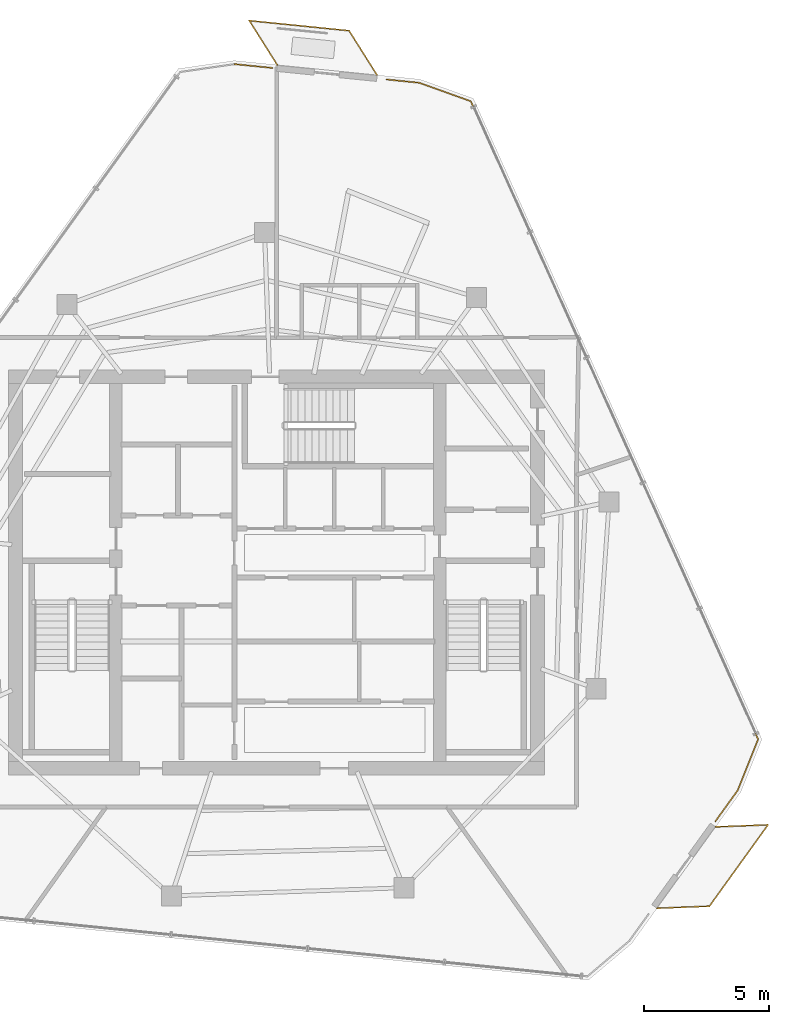
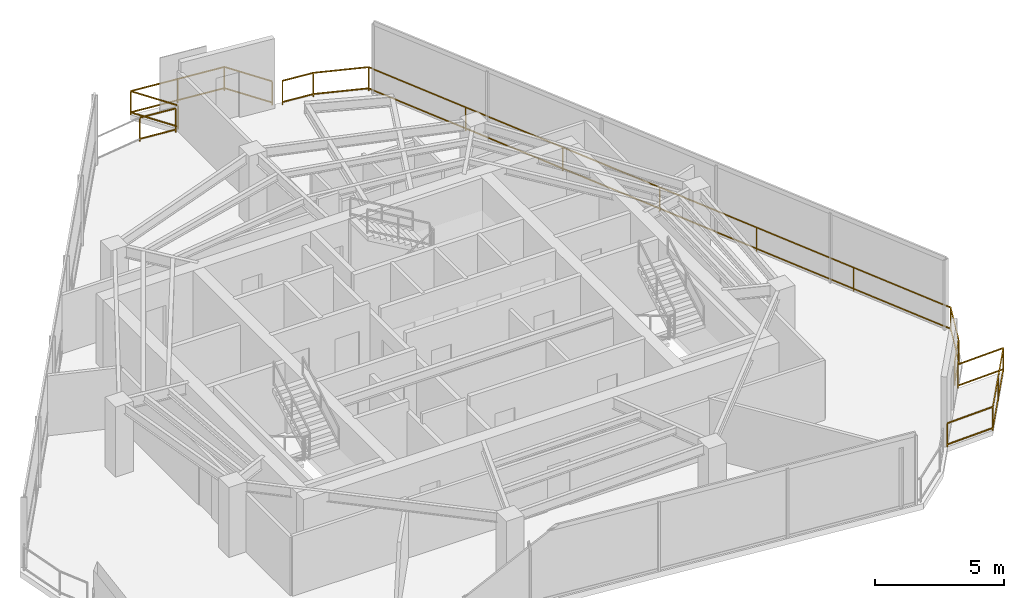
# One storey, part 18 of 18: 4 railings.
"""IFC4 building model written with IfcOpenShell, lengths in metres."""

from ifc_helpers import new_model, si_unit, direction, frame, origin, origin_2d, place, context, subcontext, project, spatial, rectangle, extrude, material, type_object, element, save


model = new_model("IFC4")

# Units and contexts
model_context = context("Model", 3, precision=1e-05, world=origin(), true_north=direction((0.0, 1.0)))
body_context = subcontext(model_context, "Body", "Model", "MODEL_VIEW")
ifc_project = project(units=[si_unit("LENGTHUNIT", "METRE"), si_unit("AREAUNIT", "SQUARE_METRE"), si_unit("VOLUMEUNIT", "CUBIC_METRE"), si_unit("PLANEANGLEUNIT", "RADIAN"), si_unit("MASSUNIT", "GRAM", prefix="KILO")], contexts=[model_context])

# Site, building, storey
site_placement = place(None, origin())
site = spatial("IfcSite", under=ifc_project, at=site_placement, CompositionType="ELEMENT")
building_placement = place(site_placement, origin())
building = spatial("IfcBuilding", under=site, at=building_placement, Name="Qarnah Convention Tower", CompositionType="ELEMENT")
storey_placement = place(building_placement, frame((0.0, 0.0, 271.5)))
storey = spatial("IfcBuildingStorey", under=building, at=storey_placement, Name="L73", CompositionType="ELEMENT", Elevation=271.5)

# Railings
ifc_material = material(Name="Black anodised aluminium", Category="aluminium")
railing_type = type_object("IfcRailingType", Name="RL-EXT-GUARD-1150", PredefinedType="GUARDRAIL", material=ifc_material)
railing_1_placement = place(storey_placement, frame((35.52294921875, 46.657958984375, 0.0)))
element("IfcRailing", 1, at=railing_1_placement, inside=storey, type_object=railing_type, Name="L73 slab-edge perimeter safety guard 01", PredefinedType="GUARDRAIL", context=body_context, shape_type="SweptSolid", body=[
    extrude(rectangle(XDim=0.048095703125, YDim=0.048095703125, at=origin_2d()), frame((0.0, 0.0, 1.1259765625), z_axis=(0.99496732714, -0.100199889836, 0.0), x_axis=(0.100199889836, 0.99496732714, 0.0)), (0.0, 0.0, 1.0), 1.527587890625),
    extrude(rectangle(XDim=0.048095703125, YDim=0.048095703125, at=origin_2d()), frame((0.0, 0.0, 0.1201171875), z_axis=(0.99496732714, -0.100199889836, 0.0), x_axis=(0.100199889836, 0.99496732714, 0.0)), (0.0, 0.0, 1.0), 1.527587890625),
    extrude(rectangle(XDim=0.0419921875, YDim=0.0419921875, at=origin_2d()), origin(), (0.0, 0.0, 1.0), 1.101806640625),
    extrude(rectangle(XDim=0.0419921875, YDim=0.0419921875, at=origin_2d()), frame((1.52001953125, -0.153076171875, 0.0)), (0.0, 0.0, 1.0), 1.101806640625),
])
railing_2_placement = place(storey_placement, frame((41.577880859375, 46.047119140625, 0.0)))
element("IfcRailing", 2, at=railing_2_placement, inside=storey, type_object=railing_type, Name="L73 slab-edge perimeter safety guard 02", PredefinedType="GUARDRAIL", context=body_context, shape_type="SweptSolid", body=[
    extrude(rectangle(XDim=0.048095703125, YDim=0.048095703125, at=origin_2d()), frame((0.0, 0.0, 1.1259765625), z_axis=(0.994889361145, -0.100971080414, 0.0), x_axis=(0.100971080414, 0.994889361145, 0.0)), (0.0, 0.0, 1.0), 1.31787109375),
    extrude(rectangle(XDim=0.048095703125, YDim=0.048095703125, at=origin_2d()), frame((0.0, 0.0, 0.1201171875), z_axis=(0.994889361145, -0.100971080414, 0.0), x_axis=(0.100971080414, 0.994889361145, 0.0)), (0.0, 0.0, 1.0), 1.31787109375),
    extrude(rectangle(XDim=0.048095703125, YDim=0.048095703125, at=origin_2d()), frame((1.31103515625, -0.133056640625, 1.1259765625), z_axis=(0.941244827663, -0.337724998183, 0.0), x_axis=(0.337724998183, 0.941244827663, 0.0)), (0.0, 0.0, 1.0), 2.182373046875),
    extrude(rectangle(XDim=0.048095703125, YDim=0.048095703125, at=origin_2d()), frame((1.31103515625, -0.133056640625, 0.1201171875), z_axis=(0.941244827663, -0.337724998183, 0.0), x_axis=(0.337724998183, 0.941244827663, 0.0)), (0.0, 0.0, 1.0), 2.182373046875),
    extrude(rectangle(XDim=0.048095703125, YDim=0.048095703125, at=origin_2d()), frame((3.365234375, -0.8701171875, 1.1259765625), z_axis=(0.410539045302, -0.911843019539, 0.0), x_axis=(0.911843019539, 0.410539045302, 0.0)), (0.0, 0.0, 1.0), 27.88525390625),
    extrude(rectangle(XDim=0.048095703125, YDim=0.048095703125, at=origin_2d()), frame((3.365234375, -0.8701171875, 0.1201171875), z_axis=(0.410539045302, -0.911843019539, 0.0), x_axis=(0.911843019539, 0.410539045302, 0.0)), (0.0, 0.0, 1.0), 27.88525390625),
    extrude(rectangle(XDim=0.048095703125, YDim=0.048095703125, at=origin_2d()), frame((14.813232421875, -26.297119140625, 1.1259765625), z_axis=(-0.370888930662, -0.928677231934, 0.0), x_axis=(0.928677231934, -0.370888930662, 0.0)), (0.0, 0.0, 1.0), 2.181396484375),
    extrude(rectangle(XDim=0.048095703125, YDim=0.048095703125, at=origin_2d()), frame((14.813232421875, -26.297119140625, 0.1201171875), z_axis=(-0.370888930662, -0.928677231934, 0.0), x_axis=(0.928677231934, -0.370888930662, 0.0)), (0.0, 0.0, 1.0), 2.181396484375),
    extrude(rectangle(XDim=0.048095703125, YDim=0.048095703125, at=origin_2d()), frame((14.004150390625, -28.322998046875, 1.1259765625), z_axis=(-0.584346807486, -0.811504041014, 0.0), x_axis=(0.811504041014, -0.584346807486, 0.0)), (0.0, 0.0, 1.0), 1.5283203125),
    extrude(rectangle(XDim=0.048095703125, YDim=0.048095703125, at=origin_2d()), frame((14.004150390625, -28.322998046875, 0.1201171875), z_axis=(-0.584346807486, -0.811504041014, 0.0), x_axis=(0.811504041014, -0.584346807486, 0.0)), (0.0, 0.0, 1.0), 1.5283203125),
    extrude(rectangle(XDim=0.0419921875, YDim=0.0419921875, at=origin_2d()), origin(), (0.0, 0.0, 1.0), 1.101806640625),
    extrude(rectangle(XDim=0.0419921875, YDim=0.0419921875, at=origin_2d()), frame((1.31103515625, -0.133056640625, 0.0)), (0.0, 0.0, 1.0), 1.101806640625),
    extrude(rectangle(XDim=0.0419921875, YDim=0.0419921875, at=origin_2d()), frame((3.365234375, -0.8701171875, 0.0)), (0.0, 0.0, 1.0), 1.101806640625),
    extrude(rectangle(XDim=0.0419921875, YDim=0.0419921875, at=origin_2d()), frame((5.273193359375, -5.10791015625, 0.0)), (0.0, 0.0, 1.0), 1.101806640625),
    extrude(rectangle(XDim=0.0419921875, YDim=0.0419921875, at=origin_2d()), frame((7.18115234375, -9.345703125, 0.0)), (0.0, 0.0, 1.0), 1.101806640625),
    extrude(rectangle(XDim=0.0419921875, YDim=0.0419921875, at=origin_2d()), frame((9.08935546875, -13.58349609375, 0.0)), (0.0, 0.0, 1.0), 1.101806640625),
    extrude(rectangle(XDim=0.0419921875, YDim=0.0419921875, at=origin_2d()), frame((10.997314453125, -17.821533203125, 0.0)), (0.0, 0.0, 1.0), 1.101806640625),
    extrude(rectangle(XDim=0.0419921875, YDim=0.0419921875, at=origin_2d()), frame((12.9052734375, -22.059326171875, 0.0)), (0.0, 0.0, 1.0), 1.101806640625),
    extrude(rectangle(XDim=0.0419921875, YDim=0.0419921875, at=origin_2d()), frame((14.813232421875, -26.297119140625, 0.0)), (0.0, 0.0, 1.0), 1.101806640625),
    extrude(rectangle(XDim=0.0419921875, YDim=0.0419921875, at=origin_2d()), frame((14.004150390625, -28.322998046875, 0.0)), (0.0, 0.0, 1.0), 1.101806640625),
    extrude(rectangle(XDim=0.0419921875, YDim=0.0419921875, at=origin_2d()), frame((13.111083984375, -29.563232421875, 0.0)), (0.0, 0.0, 1.0), 1.101806640625),
])
railing_3_placement = place(storey_placement, frame((37.22998046875, 46.62109375, 0.0)))
element("IfcRailing", 3, at=railing_3_placement, inside=storey, type_object=railing_type, Name="L73 balcony safety guard BAL-L73-C1", PredefinedType="GUARDRAIL", context=body_context, shape_type="SweptSolid", body=[
    extrude(rectangle(XDim=0.048095703125, YDim=0.048095703125, at=origin_2d()), frame((0.0, 0.0, 1.1259765625), z_axis=(-0.533453281784, 0.84582953138, 0.0), x_axis=(-0.84582953138, -0.533453281784, 0.0)), (0.0, 0.0, 1.0), 2.09375),
    extrude(rectangle(XDim=0.048095703125, YDim=0.048095703125, at=origin_2d()), frame((0.0, 0.0, 0.1201171875), z_axis=(-0.533453281784, 0.84582953138, 0.0), x_axis=(-0.84582953138, -0.533453281784, 0.0)), (0.0, 0.0, 1.0), 2.09375),
    extrude(rectangle(XDim=0.048095703125, YDim=0.048095703125, at=origin_2d()), frame((-1.116943359375, 1.77099609375, 1.1259765625), z_axis=(0.994957085091, -0.100301539502, 0.0), x_axis=(0.100301539502, 0.994957085091, 0.0)), (0.0, 0.0, 1.0), 3.999267578125),
    extrude(rectangle(XDim=0.048095703125, YDim=0.048095703125, at=origin_2d()), frame((-1.116943359375, 1.77099609375, 0.1201171875), z_axis=(0.994957085091, -0.100301539502, 0.0), x_axis=(0.100301539502, 0.994957085091, 0.0)), (0.0, 0.0, 1.0), 3.999267578125),
    extrude(rectangle(XDim=0.048095703125, YDim=0.048095703125, at=origin_2d()), frame((2.862060546875, 1.369873046875, 1.1259765625), z_axis=(0.533453281784, -0.84582953138, 0.0), x_axis=(0.84582953138, 0.533453281784, 0.0)), (0.0, 0.0, 1.0), 2.09375),
    extrude(rectangle(XDim=0.048095703125, YDim=0.048095703125, at=origin_2d()), frame((2.862060546875, 1.369873046875, 0.1201171875), z_axis=(0.533453281784, -0.84582953138, 0.0), x_axis=(0.84582953138, 0.533453281784, 0.0)), (0.0, 0.0, 1.0), 2.09375),
    extrude(rectangle(XDim=0.0419921875, YDim=0.0419921875, at=origin_2d()), origin(), (0.0, 0.0, 1.0), 1.101806640625),
    extrude(rectangle(XDim=0.0419921875, YDim=0.0419921875, at=origin_2d()), frame((-1.116943359375, 1.77099609375, 0.0)), (0.0, 0.0, 1.0), 1.101806640625),
    extrude(rectangle(XDim=0.0419921875, YDim=0.0419921875, at=origin_2d()), frame((0.87255859375, 1.5703125, 0.0)), (0.0, 0.0, 1.0), 1.101806640625),
    extrude(rectangle(XDim=0.0419921875, YDim=0.0419921875, at=origin_2d()), frame((2.862060546875, 1.369873046875, 0.0)), (0.0, 0.0, 1.0), 1.101806640625),
    extrude(rectangle(XDim=0.0419921875, YDim=0.0419921875, at=origin_2d()), frame((3.97900390625, -0.401123046875, 0.0)), (0.0, 0.0, 1.0), 1.101806640625),
])
railing_4_placement = place(storey_placement, frame((54.697021484375, 16.263916015625, 0.0)))
element("IfcRailing", 4, at=railing_4_placement, inside=storey, type_object=railing_type, Name="L73 balcony safety guard BAL-L73-C3", PredefinedType="GUARDRAIL", context=body_context, shape_type="SweptSolid", body=[
    extrude(rectangle(XDim=0.048095703125, YDim=0.048095703125, at=origin_2d()), frame((0.0, 0.0, 1.1259765625), z_axis=(0.999232845333, 0.0391627477, 0.0), x_axis=(-0.0391627477, 0.999232845333, 0.0)), (0.0, 0.0, 1.0), 2.0947265625),
    extrude(rectangle(XDim=0.048095703125, YDim=0.048095703125, at=origin_2d()), frame((0.0, 0.0, 0.1201171875), z_axis=(0.999232845333, 0.0391627477, 0.0), x_axis=(-0.0391627477, 0.999232845333, 0.0)), (0.0, 0.0, 1.0), 2.0947265625),
    extrude(rectangle(XDim=0.048095703125, YDim=0.048095703125, at=origin_2d()), frame((2.093017578125, 0.08203125, 1.1259765625), z_axis=(-0.584489603029, -0.811401197898, 0.0), x_axis=(0.811401197898, -0.584489603029, 0.0)), (0.0, 0.0, 1.0), 4.000244140625),
    extrude(rectangle(XDim=0.048095703125, YDim=0.048095703125, at=origin_2d()), frame((2.093017578125, 0.08203125, 0.1201171875), z_axis=(-0.584489603029, -0.811401197898, 0.0), x_axis=(0.811401197898, -0.584489603029, 0.0)), (0.0, 0.0, 1.0), 4.000244140625),
    extrude(rectangle(XDim=0.048095703125, YDim=0.048095703125, at=origin_2d()), frame((-0.2451171875, -3.163818359375, 1.1259765625), z_axis=(-0.999231950732, -0.039185566695, 0.0), x_axis=(0.039185566695, -0.999231950732, 0.0)), (0.0, 0.0, 1.0), 2.093505859375),
    extrude(rectangle(XDim=0.048095703125, YDim=0.048095703125, at=origin_2d()), frame((-0.2451171875, -3.163818359375, 0.1201171875), z_axis=(-0.999231950732, -0.039185566695, 0.0), x_axis=(0.039185566695, -0.999231950732, 0.0)), (0.0, 0.0, 1.0), 2.093505859375),
    extrude(rectangle(XDim=0.0419921875, YDim=0.0419921875, at=origin_2d()), origin(), (0.0, 0.0, 1.0), 1.101806640625),
    extrude(rectangle(XDim=0.0419921875, YDim=0.0419921875, at=origin_2d()), frame((2.093017578125, 0.08203125, 0.0)), (0.0, 0.0, 1.0), 1.101806640625),
    extrude(rectangle(XDim=0.0419921875, YDim=0.0419921875, at=origin_2d()), frame((0.923828125, -1.541015625, 0.0)), (0.0, 0.0, 1.0), 1.101806640625),
    extrude(rectangle(XDim=0.0419921875, YDim=0.0419921875, at=origin_2d()), frame((-0.2451171875, -3.163818359375, 0.0)), (0.0, 0.0, 1.0), 1.101806640625),
    extrude(rectangle(XDim=0.0419921875, YDim=0.0419921875, at=origin_2d()), frame((-2.3369140625, -3.245849609375, 0.0)), (0.0, 0.0, 1.0), 1.101806640625),
])

save(model, "model.ifc")
